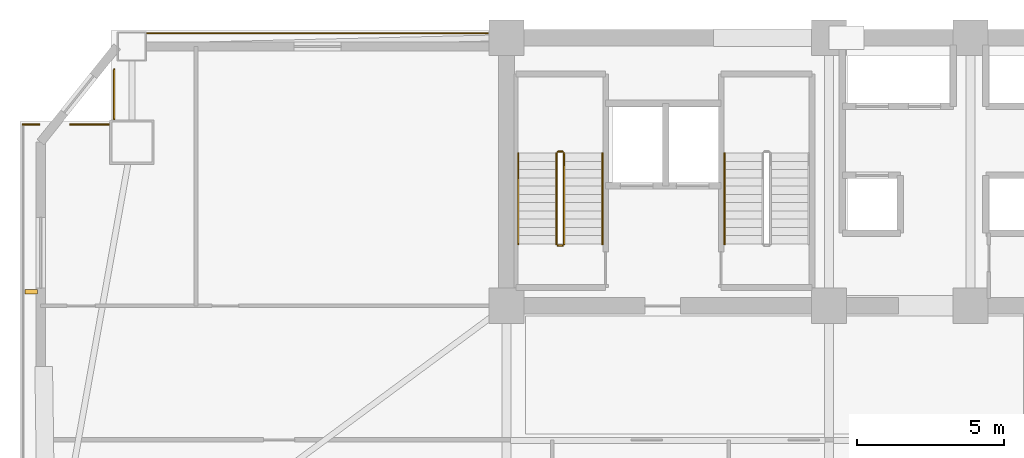
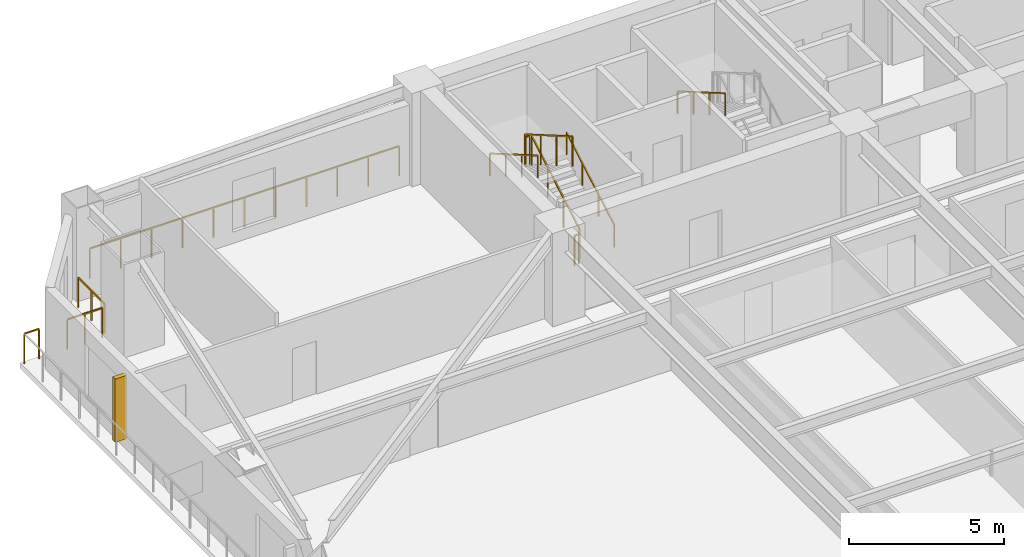
# One storey, part 14 of 16: 11 railings, 1 shading device.
"""IFC4 building model written with IfcOpenShell, lengths in metres."""

import ifcopenshell
import ifcopenshell.guid

model = None  # the IFC model being written
_history = None  # IfcOwnerHistory: only IFC2X3 demands one
_inside = {}  # id of a spatial element -> (the spatial element, [elements in it])
_under = {}  # id of a project, library or spatial element -> (it, [spatial elements below it])
_declared = {}  # id of a project -> (the project, [libraries it declares])
_typed = {}  # id of a type object -> (the type object, [elements of that type])
_made_of = {}  # id of a material, layer set ... -> (it, [elements and type objects made of it])


def new_model(schema):
    """Start an empty IFC model of exactly this schema.

    Asked for "IFC4X3", IfcOpenShell would pick the latest addendum, in which some entities
    have other attributes; the version numbers below select the first issue.
    IFC2X3 requires an IfcOwnerHistory on every rooted entity: one is made here for all.
    """
    global model, _history
    if schema == "IFC4X3":
        model = ifcopenshell.file(schema_version=(4, 3, 0, 0))
    else:
        model = ifcopenshell.file(schema=schema)
    _inside.clear()
    _under.clear()
    _declared.clear()
    _typed.clear()
    _made_of.clear()
    _history = None
    if model.schema == "IFC2X3":
        org = make("IfcOrganization", Name="unknown")
        user = make(
            "IfcPersonAndOrganization",
            ThePerson=make("IfcPerson", FamilyName="unknown"),
            TheOrganization=org,
        )
        app = make(
            "IfcApplication",
            ApplicationDeveloper=org,
            Version="unknown",
            ApplicationFullName="unknown",
            ApplicationIdentifier="unknown",
        )
        _history = make(
            "IfcOwnerHistory",
            OwningUser=user,
            OwningApplication=app,
            ChangeAction="ADDED",
            CreationDate=0,
        )
    return model


def make(cls, **values):
    """One entity of the class cls with the attributes given. An attribute that is None is left unset."""
    return model.create_entity(
        cls, **{name: value for name, value in values.items() if value is not None}
    )


def rooted(cls, **values):
    """An entity with a GlobalId (a new one), such as an element, a storey or a relation."""
    return make(cls, GlobalId=ifcopenshell.guid.new(), OwnerHistory=_history, **values)


def si_unit(unit_type, name, prefix=None):
    """IfcSIUnit, for example si_unit("LENGTHUNIT", "METRE", prefix="MILLI")."""
    return make("IfcSIUnit", UnitType=unit_type, Prefix=prefix, Name=name)


def assignment(units):
    """IfcUnitAssignment: the units of a project."""
    return None if units is None else make("IfcUnitAssignment", Units=units)


def point(xyz):
    """IfcCartesianPoint."""
    return None if xyz is None else make("IfcCartesianPoint", Coordinates=xyz)


def direction(xyz):
    """IfcDirection."""
    return None if xyz is None else make("IfcDirection", DirectionRatios=xyz)


def frame(location, z_axis=None, x_axis=None):
    """IfcAxis2Placement3D, a coordinate frame: its origin and axes. An axis left out is left unset."""
    return make(
        "IfcAxis2Placement3D",
        Location=point(location),
        Axis=direction(z_axis),
        RefDirection=direction(x_axis),
    )


def frame_2d(location, x_axis=None):
    """IfcAxis2Placement2D, a coordinate frame in the plane: its origin and x axis."""
    return make(
        "IfcAxis2Placement2D", Location=point(location), RefDirection=direction(x_axis)
    )


def origin():
    """The frame at (0, 0, 0) with its axes left unset."""
    return frame((0.0, 0.0, 0.0))


def origin_2d():
    """The frame at (0, 0) in the plane with its x axis left unset."""
    return frame_2d((0.0, 0.0))


def place(relative_to, where):
    """IfcLocalPlacement: puts the frame where relative to a parent placement (None: the world)."""
    return make(
        "IfcLocalPlacement", PlacementRelTo=relative_to, RelativePlacement=where
    )


def context(
    kind, dimensions, precision=None, world=None, true_north=None, identifier=None
):
    """IfcGeometricRepresentationContext, for example the 3D "Model" context."""
    return make(
        "IfcGeometricRepresentationContext",
        ContextIdentifier=identifier,
        ContextType=kind,
        CoordinateSpaceDimension=dimensions,
        Precision=precision,
        WorldCoordinateSystem=world,
        TrueNorth=true_north,
    )


def subcontext(parent, identifier, kind, view, scale=None):
    """IfcGeometricRepresentationSubContext, for example "Body" below "Model"."""
    return make(
        "IfcGeometricRepresentationSubContext",
        ContextIdentifier=identifier,
        ContextType=kind,
        ParentContext=parent,
        TargetScale=scale,
        TargetView=view,
    )


def project(units=None, contexts=None):
    """IfcProject with its units and contexts."""
    return rooted(
        "IfcProject",
        Name="project",
        RepresentationContexts=contexts,
        UnitsInContext=assignment(units),
    )


def spatial(cls, under=None, at=None, **own):
    """A site, building, storey or space (cls), placed at a placement, below another one or the project."""
    s = rooted(cls, ObjectPlacement=at, **own)
    if under is not None:
        _under.setdefault(under.id(), (under, []))[1].append(s)
    return s


def profile(cls, at=None, kind="AREA", **sizes):
    """A parametric profile (cls). Its sizes go by their IFC names, for example OverallWidth=200.0."""
    return make(cls, ProfileType=kind, Position=at, **sizes)


def rectangle(**sizes):
    """IfcRectangleProfileDef."""
    return profile("IfcRectangleProfileDef", **sizes)


def extrude(swept, where, along, depth):
    """IfcExtrudedAreaSolid: the profile swept, set in the frame where, extruded along a direction by depth."""
    return make(
        "IfcExtrudedAreaSolid",
        SweptArea=swept,
        Position=where,
        ExtrudedDirection=direction(along),
        Depth=depth,
    )


def shape(context_of_items, identifier, shape_type, items):
    """IfcShapeRepresentation: the items that make up one representation, for example the "Body"."""
    return make(
        "IfcShapeRepresentation",
        ContextOfItems=context_of_items,
        RepresentationIdentifier=identifier,
        RepresentationType=shape_type,
        Items=items,
    )


def source(mapping_origin, context_of_items, identifier, shape_type, items):
    """IfcRepresentationMap: a shape defined once, which mapped items show again and again."""
    return make(
        "IfcRepresentationMap",
        MappingOrigin=mapping_origin,
        MappedRepresentation=shape(context_of_items, identifier, shape_type, items),
    )


def transform(
    local_origin,
    x_axis=None,
    y_axis=None,
    z_axis=None,
    scale=None,
    scale2=None,
    scale3=None,
    uniform=True,
):
    """IfcCartesianTransformationOperator3D, or its non-uniform kind. x_axis, y_axis, z_axis: its Axis1, 2, 3."""
    if uniform:
        return make(
            "IfcCartesianTransformationOperator3D",
            Axis1=direction(x_axis),
            Axis2=direction(y_axis),
            LocalOrigin=point(local_origin),
            Scale=scale,
            Axis3=direction(z_axis),
        )
    return make(
        "IfcCartesianTransformationOperator3DnonUniform",
        Axis1=direction(x_axis),
        Axis2=direction(y_axis),
        LocalOrigin=point(local_origin),
        Scale=scale,
        Axis3=direction(z_axis),
        Scale2=scale2,
        Scale3=scale3,
    )


def mapped(mapping_source, mapping_target):
    """IfcMappedItem: shows the shape of a source again, moved by a transform."""
    return make(
        "IfcMappedItem", MappingSource=mapping_source, MappingTarget=mapping_target
    )


def material(Name=None, Category=None):
    """IfcMaterial."""
    return make("IfcMaterial", Name=Name, Category=Category)


def made_of(thing, what):
    """Note that an element or type object is made of a material, layer set ...; save() writes the relation."""
    if what is not None:
        _made_of.setdefault(what.id(), (what, []))[1].append(thing)
    return thing


def type_object(cls, material=None, **own):
    """A type object (cls), such as IfcWallType, which elements share."""
    return made_of(rooted(cls, **own), material)


def element(
    cls,
    number,
    at=None,
    inside=None,
    cuts=None,
    type_object=None,
    material=None,
    context=None,
    identifier="Body",
    shape_type=None,
    held_by="IfcProductDefinitionShape",
    body=None,
    shapes=None,
    **own,
):
    """One element of the class cls, such as IfcWall. Its Tag is "e" and its number.

    at: its placement. inside: the storey or other place that contains it. cuts: it is an
    opening in that element (IfcRelVoidsElement). A single representation is given by context,
    identifier, shape_type and body (its items); several are given by shapes. held_by: the class
    of the entity that holds the representations. save() writes the other relations.
    """
    e = rooted(cls, Tag="e%d" % number, ObjectPlacement=at, **own)
    if body is not None:
        shapes = [shape(context, identifier, shape_type, body)]
    if shapes is not None:
        e.Representation = make(held_by, Representations=shapes)
    if inside is not None:
        _inside.setdefault(inside.id(), (inside, []))[1].append(e)
    if cuts is not None:
        rooted(
            "IfcRelVoidsElement", RelatingBuildingElement=cuts, RelatedOpeningElement=e
        )
    if type_object is not None:
        _typed.setdefault(type_object.id(), (type_object, []))[1].append(e)
    return made_of(e, material)


def aggregate(whole, parts):
    """IfcRelAggregates: a whole, such as a stair, and the parts it consists of."""
    return rooted("IfcRelAggregates", RelatingObject=whole, RelatedObjects=parts)


def save(model, path):
    """Write the relations noted so far, then the file.

    IfcRelAggregates (storeys below a building ...), IfcRelContainedInSpatialStructure (elements
    in a storey), IfcRelDefinesByType, IfcRelAssociatesMaterial and IfcRelDeclares: one each for
    every whole, place, type object, material and project.
    """
    for whole, parts in _under.values():
        aggregate(whole, parts)
    for where, things in _inside.values():
        rooted(
            "IfcRelContainedInSpatialStructure",
            RelatedElements=things,
            RelatingStructure=where,
        )
    for kind, things in _typed.values():
        rooted("IfcRelDefinesByType", RelatedObjects=things, RelatingType=kind)
    for what, things in _made_of.values():
        rooted("IfcRelAssociatesMaterial", RelatedObjects=things, RelatingMaterial=what)
    for by, libraries in _declared.values():
        rooted("IfcRelDeclares", RelatingContext=by, RelatedDefinitions=libraries)
    model.write(path)


model = new_model("IFC4")

# Units and contexts
model_context = context("Model", 3, precision=1e-05, world=origin(), true_north=direction((0.0, 1.0)))
body_context = subcontext(model_context, "Body", "Model", "MODEL_VIEW")
ifc_project = project(units=[si_unit("LENGTHUNIT", "METRE"), si_unit("AREAUNIT", "SQUARE_METRE"), si_unit("VOLUMEUNIT", "CUBIC_METRE"), si_unit("PLANEANGLEUNIT", "RADIAN"), si_unit("MASSUNIT", "GRAM", prefix="KILO")], contexts=[model_context])

# Site, building, storey
site_placement = place(None, origin())
site = spatial("IfcSite", under=ifc_project, at=site_placement, CompositionType="ELEMENT")
building_placement = place(site_placement, origin())
building = spatial("IfcBuilding", under=site, at=building_placement, Name="Giltprow Tower", CompositionType="ELEMENT")
storey_placement = place(building_placement, frame((0.0, 0.0, 79.60009765625)))
storey = spatial("IfcBuildingStorey", under=building, at=storey_placement, Name="L19", CompositionType="ELEMENT", Elevation=79.60009765625)

# Railings
ifc_material = material(Name="Anodized bronze", Category="metal")
railing_type_1 = type_object("IfcRailingType", Name="RAIL-BALC-GUARD-1200", PredefinedType="BALUSTRADE", material=ifc_material)
railing_1_placement = place(storey_placement, frame((3.43994140625, 43.60400390625, 0.0)))
element("IfcRailing", 1, at=railing_1_placement, inside=storey, type_object=railing_type_1, Name="L19 Corner Apron Edge Balustrade 6", PredefinedType="BALUSTRADE", context=body_context, shape_type="SweptSolid", body=[
    extrude(rectangle(XDim=0.048095703125, YDim=0.048095703125, at=origin_2d()), frame((0.0, 0.0, 1.17578125), z_axis=(1.0, 0.0, 0.0), x_axis=(0.0, 1.0, 0.0)), (0.0, 0.0, 1.0), 0.55517578125),
    extrude(rectangle(XDim=0.0419921875, YDim=0.0419921875, at=origin_2d()), origin(), (0.0, 0.0, 1.0), 1.15185546875),
    extrude(rectangle(XDim=0.0419921875, YDim=0.0419921875, at=origin_2d()), frame((0.55517578125, 0.0, 0.0)), (0.0, 0.0, 1.0), 1.15185546875),
])
railing_2_placement = place(storey_placement, frame((5.044921875, 43.60400390625, 0.0)))
element("IfcRailing", 2, at=railing_2_placement, inside=storey, type_object=railing_type_1, Name="L19 Corner Apron Edge Balustrade 7", PredefinedType="BALUSTRADE", context=body_context, shape_type="SweptSolid", body=[
    extrude(rectangle(XDim=0.048095703125, YDim=0.048095703125, at=origin_2d()), frame((0.0, 0.0, 1.17578125), z_axis=(1.0, 0.0, 0.0), x_axis=(0.0, 1.0, 0.0)), (0.0, 0.0, 1.0), 1.30615234375),
    extrude(rectangle(XDim=0.0419921875, YDim=0.0419921875, at=origin_2d()), origin(), (0.0, 0.0, 1.0), 1.15185546875),
    extrude(rectangle(XDim=0.0419921875, YDim=0.0419921875, at=origin_2d()), frame((0.653076171875, 0.0, 0.0)), (0.0, 0.0, 1.0), 1.15185546875),
    extrude(rectangle(XDim=0.0419921875, YDim=0.0419921875, at=origin_2d()), frame((1.30615234375, 0.0, 0.0)), (0.0, 0.0, 1.0), 1.15185546875),
])
railing_3_placement = place(storey_placement, frame((6.535888671875, 43.7890625, 0.0)))
element("IfcRailing", 3, at=railing_3_placement, inside=storey, type_object=railing_type_1, Name="L19 Corner Apron Edge Balustrade 8", PredefinedType="BALUSTRADE", context=body_context, shape_type="SweptSolid", body=[
    extrude(rectangle(XDim=0.048095703125, YDim=0.048095703125, at=origin_2d()), frame((0.0, 0.0, 1.17578125), z_axis=(0.0, 1.0, 0.0), x_axis=(-1.0, 0.0, 0.0)), (0.0, 0.0, 1.0), 1.679931640625),
    extrude(rectangle(XDim=0.0419921875, YDim=0.0419921875, at=origin_2d()), origin(), (0.0, 0.0, 1.0), 1.15185546875),
    extrude(rectangle(XDim=0.0419921875, YDim=0.0419921875, at=origin_2d()), frame((0.0, 0.83984375, 0.0)), (0.0, 0.0, 1.0), 1.15185546875),
    extrude(rectangle(XDim=0.0419921875, YDim=0.0419921875, at=origin_2d()), frame((0.0, 1.679931640625, 0.0)), (0.0, 0.0, 1.0), 1.15185546875),
])
railing_4_placement = place(storey_placement, frame((7.6708984375, 46.699951171875, 0.0)))
element("IfcRailing", 4, at=railing_4_placement, inside=storey, type_object=railing_type_1, Name="L19 Corner Apron Edge Balustrade 9", PredefinedType="BALUSTRADE", context=body_context, shape_type="SweptSolid", body=[
    extrude(rectangle(XDim=0.048095703125, YDim=0.048095703125, at=origin_2d()), frame((0.0, 0.0, 1.17578125), z_axis=(1.0, 0.0, 0.0), x_axis=(0.0, 1.0, 0.0)), (0.0, 0.0, 1.0), 11.544189453125),
    extrude(rectangle(XDim=0.0419921875, YDim=0.0419921875, at=origin_2d()), origin(), (0.0, 0.0, 1.0), 1.15185546875),
    extrude(rectangle(XDim=0.0419921875, YDim=0.0419921875, at=origin_2d()), frame((1.154296875, 0.0, 0.0)), (0.0, 0.0, 1.0), 1.15185546875),
    extrude(rectangle(XDim=0.0419921875, YDim=0.0419921875, at=origin_2d()), frame((2.308837890625, 0.0, 0.0)), (0.0, 0.0, 1.0), 1.15185546875),
    extrude(rectangle(XDim=0.0419921875, YDim=0.0419921875, at=origin_2d()), frame((3.46337890625, 0.0, 0.0)), (0.0, 0.0, 1.0), 1.15185546875),
    extrude(rectangle(XDim=0.0419921875, YDim=0.0419921875, at=origin_2d()), frame((4.61767578125, 0.0, 0.0)), (0.0, 0.0, 1.0), 1.15185546875),
    extrude(rectangle(XDim=0.0419921875, YDim=0.0419921875, at=origin_2d()), frame((5.77197265625, 0.0, 0.0)), (0.0, 0.0, 1.0), 1.15185546875),
    extrude(rectangle(XDim=0.0419921875, YDim=0.0419921875, at=origin_2d()), frame((6.926513671875, 0.0, 0.0)), (0.0, 0.0, 1.0), 1.15185546875),
    extrude(rectangle(XDim=0.0419921875, YDim=0.0419921875, at=origin_2d()), frame((8.0810546875, 0.0, 0.0)), (0.0, 0.0, 1.0), 1.15185546875),
    extrude(rectangle(XDim=0.0419921875, YDim=0.0419921875, at=origin_2d()), frame((9.2353515625, 0.0, 0.0)), (0.0, 0.0, 1.0), 1.15185546875),
    extrude(rectangle(XDim=0.0419921875, YDim=0.0419921875, at=origin_2d()), frame((10.3896484375, 0.0, 0.0)), (0.0, 0.0, 1.0), 1.15185546875),
    extrude(rectangle(XDim=0.0419921875, YDim=0.0419921875, at=origin_2d()), frame((11.544189453125, 0.0, 0.0)), (0.0, 0.0, 1.0), 1.15185546875),
])
railing_type_2 = type_object("IfcRailingType", Name="RAIL-STAIR-GUARD-1200", PredefinedType="GUARDRAIL", material=ifc_material)
railing_5_placement = place(storey_placement, frame((21.81005859375, 39.550048828125, 0.162353515625)))
element("IfcRailing", 5, at=railing_5_placement, inside=storey, type_object=railing_type_2, Name="L19 ST-1 stair guard 1", PredefinedType="GUARDRAIL", context=body_context, shape_type="SweptSolid", body=[
    extrude(rectangle(XDim=0.048095703125, YDim=0.048095703125, at=origin_2d()), frame((0.0, 0.0, 1.17578125), z_axis=(0.0, 0.864873446163, 0.501989962173), x_axis=(-1.0, 0.0, 0.0)), (0.0, 0.0, 1.0), 3.56103515625),
    extrude(rectangle(XDim=0.0419921875, YDim=0.0419921875, at=origin_2d()), origin(), (0.0, 0.0, 1.0), 1.15185546875),
    extrude(rectangle(XDim=0.0419921875, YDim=0.0419921875, at=origin_2d()), frame((0.0, 1.026611328125, 0.595947265625)), (0.0, 0.0, 1.0), 1.15185546875),
    extrude(rectangle(XDim=0.0419921875, YDim=0.0419921875, at=origin_2d()), frame((0.0, 2.05322265625, 1.191650390625)), (0.0, 0.0, 1.0), 1.15185546875),
    extrude(rectangle(XDim=0.0419921875, YDim=0.0419921875, at=origin_2d()), frame((0.0, 3.079833984375, 1.78759765625)), (0.0, 0.0, 1.0), 1.15185546875),
])
railing_6_placement = place(storey_placement, frame((21.760009765625, 42.679931640625, 1.949951171875)))
element("IfcRailing", 6, at=railing_6_placement, inside=storey, type_object=railing_type_2, Name="L19 ST-1 stair guard 2", PredefinedType="GUARDRAIL", context=body_context, shape_type="SweptSolid", body=[
    extrude(rectangle(XDim=0.048095703125, YDim=0.048095703125, at=origin_2d()), frame((0.0, 0.0, 1.17578125), z_axis=(-1.0, 0.0, 0.0), x_axis=(0.0, -1.0, 0.0)), (0.0, 0.0, 1.0), 0.159912109375),
    extrude(rectangle(XDim=0.0419921875, YDim=0.0419921875, at=origin_2d()), origin(), (0.0, 0.0, 1.0), 1.15185546875),
    extrude(rectangle(XDim=0.0419921875, YDim=0.0419921875, at=origin_2d()), frame((-0.159912109375, 0.0, 0.0)), (0.0, 0.0, 1.0), 1.15185546875),
])
railing_7_placement = place(storey_placement, frame((21.550048828125, 42.6298828125, 2.1123046875)))
element("IfcRailing", 7, at=railing_7_placement, inside=storey, type_object=railing_type_2, Name="L19 ST-1 stair guard 3", PredefinedType="GUARDRAIL", context=body_context, shape_type="SweptSolid", body=[
    extrude(rectangle(XDim=0.048095703125, YDim=0.048095703125, at=origin_2d()), frame((0.0, 0.0, 1.17578125), z_axis=(0.0, -0.864873446163, 0.501989962173), x_axis=(1.0, 0.0, 0.0)), (0.0, 0.0, 1.0), 3.56103515625),
    extrude(rectangle(XDim=0.0419921875, YDim=0.0419921875, at=origin_2d()), origin(), (0.0, 0.0, 1.0), 1.15185546875),
    extrude(rectangle(XDim=0.0419921875, YDim=0.0419921875, at=origin_2d()), frame((0.0, -1.026611328125, 0.595947265625)), (0.0, 0.0, 1.0), 1.15185546875),
    extrude(rectangle(XDim=0.0419921875, YDim=0.0419921875, at=origin_2d()), frame((0.0, -2.05322265625, 1.191650390625)), (0.0, 0.0, 1.0), 1.15185546875),
    extrude(rectangle(XDim=0.0419921875, YDim=0.0419921875, at=origin_2d()), frame((0.0, -3.079833984375, 1.78759765625)), (0.0, 0.0, 1.0), 1.15185546875),
])
railing_8_placement = place(storey_placement, frame((21.760009765625, 39.5, 0.0)))
element("IfcRailing", 8, at=railing_8_placement, inside=storey, type_object=railing_type_2, Name="L19 ST-1 stair guard 4", PredefinedType="GUARDRAIL", context=body_context, shape_type="SweptSolid", body=[
    extrude(rectangle(XDim=0.048095703125, YDim=0.048095703125, at=origin_2d()), frame((0.0, 0.0, 1.17578125), z_axis=(-1.0, 0.0, 0.0), x_axis=(0.0, -1.0, 0.0)), (0.0, 0.0, 1.0), 0.159912109375),
    extrude(rectangle(XDim=0.0419921875, YDim=0.0419921875, at=origin_2d()), origin(), (0.0, 0.0, 1.0), 1.15185546875),
    extrude(rectangle(XDim=0.0419921875, YDim=0.0419921875, at=origin_2d()), frame((-0.159912109375, 0.0, 0.0)), (0.0, 0.0, 1.0), 1.15185546875),
])
railing_type_3 = type_object("IfcRailingType", Name="RAIL-STAIR-HAND-900", PredefinedType="HANDRAIL", material=ifc_material)
railing_9_placement = place(storey_placement, frame((23.110107421875, 39.550048828125, 0.162353515625)))
element("IfcRailing", 9, at=railing_9_placement, inside=storey, type_object=railing_type_3, Name="L19 ST-1 stair handrail 1", PredefinedType="HANDRAIL", context=body_context, shape_type="SweptSolid", body=[
    extrude(rectangle(XDim=0.048095703125, YDim=0.048095703125, at=origin_2d()), frame((0.0, 0.0, 0.8759765625), z_axis=(0.0, 0.864873446163, 0.501989962173), x_axis=(-1.0, 0.0, 0.0)), (0.0, 0.0, 1.0), 3.56103515625),
    extrude(rectangle(XDim=0.0419921875, YDim=0.0419921875, at=origin_2d()), origin(), (0.0, 0.0, 1.0), 0.851806640625),
    extrude(rectangle(XDim=0.0419921875, YDim=0.0419921875, at=origin_2d()), frame((0.0, 1.026611328125, 0.595947265625)), (0.0, 0.0, 1.0), 0.851806640625),
    extrude(rectangle(XDim=0.0419921875, YDim=0.0419921875, at=origin_2d()), frame((0.0, 2.05322265625, 1.191650390625)), (0.0, 0.0, 1.0), 0.851806640625),
    extrude(rectangle(XDim=0.0419921875, YDim=0.0419921875, at=origin_2d()), frame((0.0, 3.079833984375, 1.78759765625)), (0.0, 0.0, 1.0), 0.851806640625),
])
for number, where, name in (
    (10, (20.25, 42.6298828125, 2.1123046875), "L19 ST-1 stair handrail 2"),
    (11, (27.25, 42.6298828125, 2.1123046875), "L19 ST-2 stair handrail 2"),
):
    element("IfcRailing", number, at=place(storey_placement, frame(where)), inside=storey, type_object=railing_type_3, Name=name, PredefinedType="HANDRAIL", context=body_context, shape_type="SweptSolid", body=[
        extrude(rectangle(XDim=0.048095703125, YDim=0.048095703125, at=origin_2d()), frame((0.0, 0.0, 0.8759765625), z_axis=(0.0, -0.864873446163, 0.501989962173), x_axis=(1.0, 0.0, 0.0)), (0.0, 0.0, 1.0), 3.56103515625),
        extrude(rectangle(XDim=0.0419921875, YDim=0.0419921875, at=origin_2d()), origin(), (0.0, 0.0, 1.0), 0.851806640625),
        extrude(rectangle(XDim=0.0419921875, YDim=0.0419921875, at=origin_2d()), frame((0.0, -1.026611328125, 0.595947265625)), (0.0, 0.0, 1.0), 0.851806640625),
        extrude(rectangle(XDim=0.0419921875, YDim=0.0419921875, at=origin_2d()), frame((0.0, -2.05322265625, 1.191650390625)), (0.0, 0.0, 1.0), 0.851806640625),
        extrude(rectangle(XDim=0.0419921875, YDim=0.0419921875, at=origin_2d()), frame((0.0, -3.079833984375, 1.78759765625)), (0.0, 0.0, 1.0), 0.851806640625),
    ])

# Shading device
shading_device_type = type_object("IfcShadingDeviceType", Name="SHD-FIN-420", PredefinedType="USERDEFINED", material=ifc_material)
shared_shape = source(origin(), body_context, "Body", "SweptSolid", [
    extrude(rectangle(XDim=0.419921875, YDim=0.159912109375, at=origin_2d()), origin(), (0.0, 0.0, 1.0), 2.5),
])
shading_device_placement = place(storey_placement, frame((3.719970703125, 37.927978515625, 0.349853515625), z_axis=(0.0, 0.0, 1.0), x_axis=(1.0, 0.0, 0.0)))
element("IfcShadingDevice", 12, at=shading_device_placement, inside=storey, type_object=shading_device_type, Name="L19 W Bronze Vertical Fin 2-2", ObjectType="FIN", PredefinedType="USERDEFINED", context=body_context, shape_type="MappedRepresentation", body=[
    mapped(shared_shape, transform((0.0, 0.0, 0.0), x_axis=(1.0, 0.0, 0.0), y_axis=(0.0, 1.0, 0.0), z_axis=(0.0, 0.0, 1.0), scale=1.0)),
])

save(model, "model.ifc")
